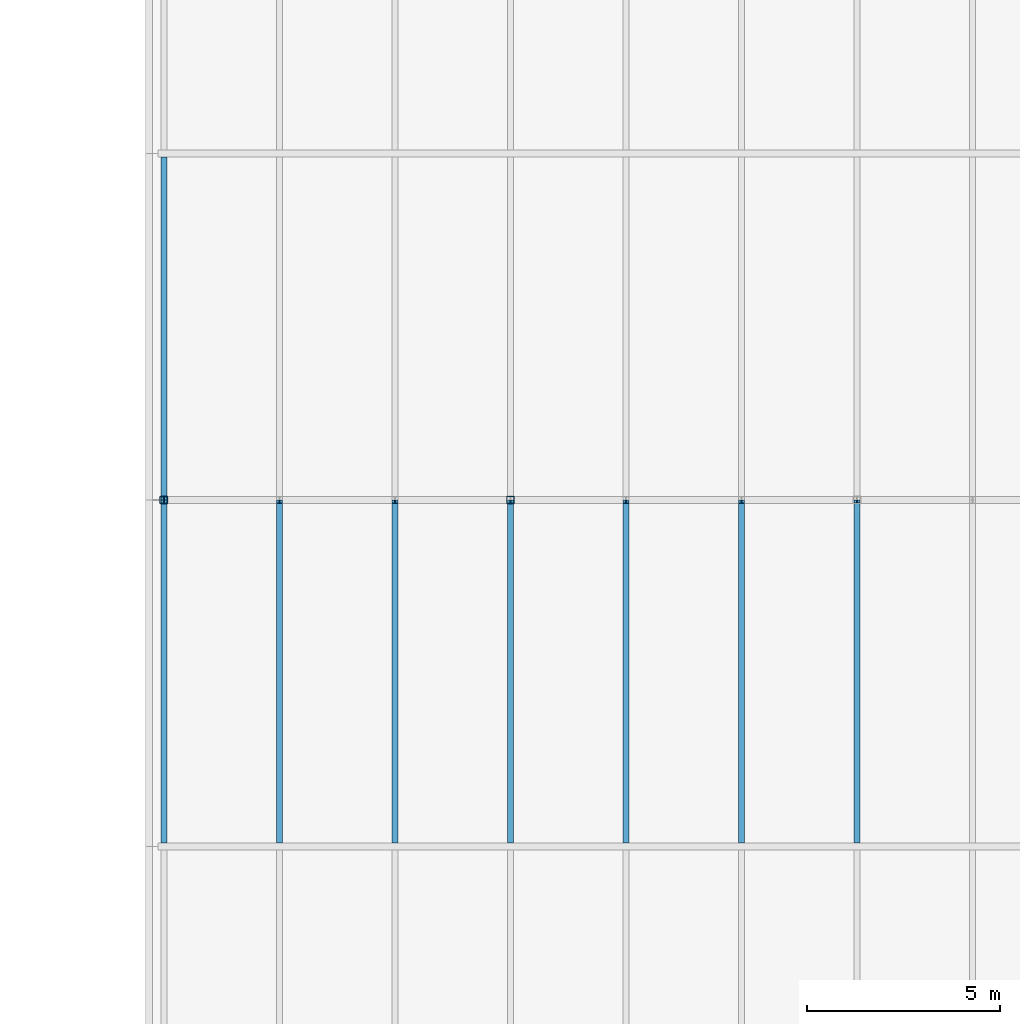
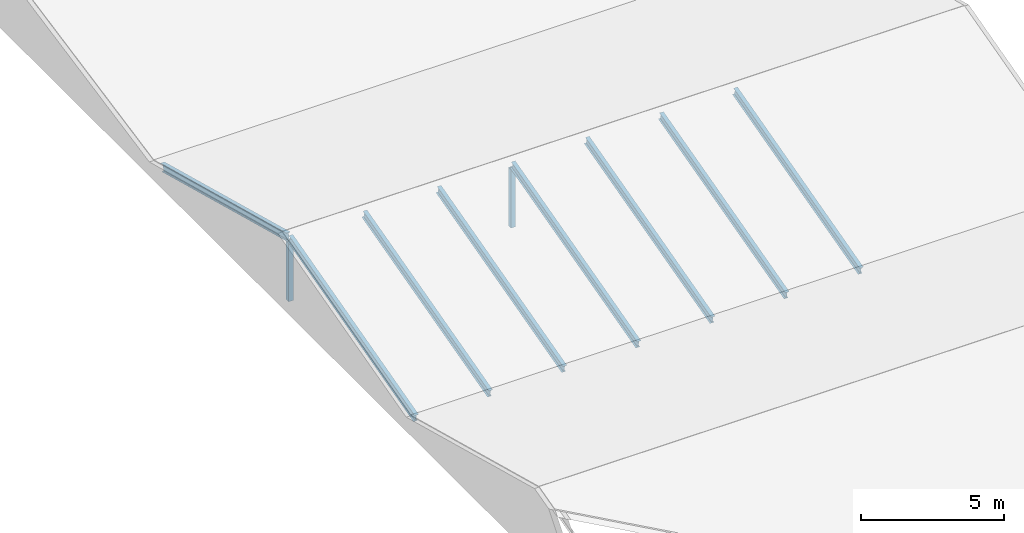
# One storey, part 9 of 29: 10 members.
"""IFC4 building model written with IfcOpenShell, lengths in metres."""

import ifcopenshell
import ifcopenshell.guid

model = None  # the IFC model being written
_history = None  # IfcOwnerHistory: only IFC2X3 demands one
_inside = {}  # id of a spatial element -> (the spatial element, [elements in it])
_under = {}  # id of a project, library or spatial element -> (it, [spatial elements below it])
_declared = {}  # id of a project -> (the project, [libraries it declares])
_typed = {}  # id of a type object -> (the type object, [elements of that type])
_made_of = {}  # id of a material, layer set ... -> (it, [elements and type objects made of it])


def new_model(schema):
    """Start an empty IFC model of exactly this schema.

    Asked for "IFC4X3", IfcOpenShell would pick the latest addendum, in which some entities
    have other attributes; the version numbers below select the first issue.
    IFC2X3 requires an IfcOwnerHistory on every rooted entity: one is made here for all.
    """
    global model, _history
    if schema == "IFC4X3":
        model = ifcopenshell.file(schema_version=(4, 3, 0, 0))
    else:
        model = ifcopenshell.file(schema=schema)
    _inside.clear()
    _under.clear()
    _declared.clear()
    _typed.clear()
    _made_of.clear()
    _history = None
    if model.schema == "IFC2X3":
        org = make("IfcOrganization", Name="unknown")
        user = make(
            "IfcPersonAndOrganization",
            ThePerson=make("IfcPerson", FamilyName="unknown"),
            TheOrganization=org,
        )
        app = make(
            "IfcApplication",
            ApplicationDeveloper=org,
            Version="unknown",
            ApplicationFullName="unknown",
            ApplicationIdentifier="unknown",
        )
        _history = make(
            "IfcOwnerHistory",
            OwningUser=user,
            OwningApplication=app,
            ChangeAction="ADDED",
            CreationDate=0,
        )
    return model


def make(cls, **values):
    """One entity of the class cls with the attributes given. An attribute that is None is left unset."""
    return model.create_entity(
        cls, **{name: value for name, value in values.items() if value is not None}
    )


def rooted(cls, **values):
    """An entity with a GlobalId (a new one), such as an element, a storey or a relation."""
    return make(cls, GlobalId=ifcopenshell.guid.new(), OwnerHistory=_history, **values)


def si_unit(unit_type, name, prefix=None):
    """IfcSIUnit, for example si_unit("LENGTHUNIT", "METRE", prefix="MILLI")."""
    return make("IfcSIUnit", UnitType=unit_type, Prefix=prefix, Name=name)


def assignment(units):
    """IfcUnitAssignment: the units of a project."""
    return None if units is None else make("IfcUnitAssignment", Units=units)


def point(xyz):
    """IfcCartesianPoint."""
    return None if xyz is None else make("IfcCartesianPoint", Coordinates=xyz)


def direction(xyz):
    """IfcDirection."""
    return None if xyz is None else make("IfcDirection", DirectionRatios=xyz)


def frame(location, z_axis=None, x_axis=None):
    """IfcAxis2Placement3D, a coordinate frame: its origin and axes. An axis left out is left unset."""
    return make(
        "IfcAxis2Placement3D",
        Location=point(location),
        Axis=direction(z_axis),
        RefDirection=direction(x_axis),
    )


def frame_2d(location, x_axis=None):
    """IfcAxis2Placement2D, a coordinate frame in the plane: its origin and x axis."""
    return make(
        "IfcAxis2Placement2D", Location=point(location), RefDirection=direction(x_axis)
    )


def origin():
    """The frame at (0, 0, 0) with its axes left unset."""
    return frame((0.0, 0.0, 0.0))


def origin_2d():
    """The frame at (0, 0) in the plane with its x axis left unset."""
    return frame_2d((0.0, 0.0))


def place(relative_to, where):
    """IfcLocalPlacement: puts the frame where relative to a parent placement (None: the world)."""
    return make(
        "IfcLocalPlacement", PlacementRelTo=relative_to, RelativePlacement=where
    )


def context(
    kind, dimensions, precision=None, world=None, true_north=None, identifier=None
):
    """IfcGeometricRepresentationContext, for example the 3D "Model" context."""
    return make(
        "IfcGeometricRepresentationContext",
        ContextIdentifier=identifier,
        ContextType=kind,
        CoordinateSpaceDimension=dimensions,
        Precision=precision,
        WorldCoordinateSystem=world,
        TrueNorth=true_north,
    )


def subcontext(parent, identifier, kind, view, scale=None):
    """IfcGeometricRepresentationSubContext, for example "Body" below "Model"."""
    return make(
        "IfcGeometricRepresentationSubContext",
        ContextIdentifier=identifier,
        ContextType=kind,
        ParentContext=parent,
        TargetScale=scale,
        TargetView=view,
    )


def project(units=None, contexts=None):
    """IfcProject with its units and contexts."""
    return rooted(
        "IfcProject",
        Name="project",
        RepresentationContexts=contexts,
        UnitsInContext=assignment(units),
    )


def spatial(cls, under=None, at=None, **own):
    """A site, building, storey or space (cls), placed at a placement, below another one or the project."""
    s = rooted(cls, ObjectPlacement=at, **own)
    if under is not None:
        _under.setdefault(under.id(), (under, []))[1].append(s)
    return s


def profile(cls, at=None, kind="AREA", **sizes):
    """A parametric profile (cls). Its sizes go by their IFC names, for example OverallWidth=200.0."""
    return make(cls, ProfileType=kind, Position=at, **sizes)


def hollow_rectangle(**sizes):
    """IfcRectangleHollowProfileDef."""
    return profile("IfcRectangleHollowProfileDef", **sizes)


def i_section(**sizes):
    """IfcIShapeProfileDef."""
    return profile("IfcIShapeProfileDef", **sizes)


def extrude(swept, where, along, depth):
    """IfcExtrudedAreaSolid: the profile swept, set in the frame where, extruded along a direction by depth."""
    return make(
        "IfcExtrudedAreaSolid",
        SweptArea=swept,
        Position=where,
        ExtrudedDirection=direction(along),
        Depth=depth,
    )


def shape(context_of_items, identifier, shape_type, items):
    """IfcShapeRepresentation: the items that make up one representation, for example the "Body"."""
    return make(
        "IfcShapeRepresentation",
        ContextOfItems=context_of_items,
        RepresentationIdentifier=identifier,
        RepresentationType=shape_type,
        Items=items,
    )


def material(Name=None, Category=None):
    """IfcMaterial."""
    return make("IfcMaterial", Name=Name, Category=Category)


def material_profile(
    of_material, cross_section, Name=None, Category=None, Priority=None
):
    """IfcMaterialProfile: a cross section and its material."""
    return make(
        "IfcMaterialProfile",
        Name=Name,
        Material=of_material,
        Profile=cross_section,
        Priority=Priority,
        Category=Category,
    )


def profile_set(profiles, Name=None, composite=None):
    """IfcMaterialProfileSet."""
    return make(
        "IfcMaterialProfileSet",
        Name=Name,
        MaterialProfiles=profiles,
        CompositeProfile=composite,
    )


def made_of(thing, what):
    """Note that an element or type object is made of a material, layer set ...; save() writes the relation."""
    if what is not None:
        _made_of.setdefault(what.id(), (what, []))[1].append(thing)
    return thing


def type_object(cls, material=None, **own):
    """A type object (cls), such as IfcWallType, which elements share."""
    return made_of(rooted(cls, **own), material)


def element(
    cls,
    number,
    at=None,
    inside=None,
    cuts=None,
    type_object=None,
    material=None,
    context=None,
    identifier="Body",
    shape_type=None,
    held_by="IfcProductDefinitionShape",
    body=None,
    shapes=None,
    **own,
):
    """One element of the class cls, such as IfcWall. Its Tag is "e" and its number.

    at: its placement. inside: the storey or other place that contains it. cuts: it is an
    opening in that element (IfcRelVoidsElement). A single representation is given by context,
    identifier, shape_type and body (its items); several are given by shapes. held_by: the class
    of the entity that holds the representations. save() writes the other relations.
    """
    e = rooted(cls, Tag="e%d" % number, ObjectPlacement=at, **own)
    if body is not None:
        shapes = [shape(context, identifier, shape_type, body)]
    if shapes is not None:
        e.Representation = make(held_by, Representations=shapes)
    if inside is not None:
        _inside.setdefault(inside.id(), (inside, []))[1].append(e)
    if cuts is not None:
        rooted(
            "IfcRelVoidsElement", RelatingBuildingElement=cuts, RelatedOpeningElement=e
        )
    if type_object is not None:
        _typed.setdefault(type_object.id(), (type_object, []))[1].append(e)
    return made_of(e, material)


def aggregate(whole, parts):
    """IfcRelAggregates: a whole, such as a stair, and the parts it consists of."""
    return rooted("IfcRelAggregates", RelatingObject=whole, RelatedObjects=parts)


def save(model, path):
    """Write the relations noted so far, then the file.

    IfcRelAggregates (storeys below a building ...), IfcRelContainedInSpatialStructure (elements
    in a storey), IfcRelDefinesByType, IfcRelAssociatesMaterial and IfcRelDeclares: one each for
    every whole, place, type object, material and project.
    """
    for whole, parts in _under.values():
        aggregate(whole, parts)
    for where, things in _inside.values():
        rooted(
            "IfcRelContainedInSpatialStructure",
            RelatedElements=things,
            RelatingStructure=where,
        )
    for kind, things in _typed.values():
        rooted("IfcRelDefinesByType", RelatedObjects=things, RelatingType=kind)
    for what, things in _made_of.values():
        rooted("IfcRelAssociatesMaterial", RelatedObjects=things, RelatingMaterial=what)
    for by, libraries in _declared.values():
        rooted("IfcRelDeclares", RelatingContext=by, RelatedDefinitions=libraries)
    model.write(path)


model = new_model("IFC4")

# Units and contexts
model_context = context("Model", 3, precision=1e-05, world=origin(), true_north=direction((0.0, 1.0)))
body_context = subcontext(model_context, "Body", "Model", "MODEL_VIEW")
ifc_project = project(units=[si_unit("LENGTHUNIT", "METRE"), si_unit("AREAUNIT", "SQUARE_METRE"), si_unit("VOLUMEUNIT", "CUBIC_METRE"), si_unit("PLANEANGLEUNIT", "RADIAN"), si_unit("MASSUNIT", "GRAM", prefix="KILO")], contexts=[model_context])

# Site, building, storey
site_placement = place(None, origin())
site = spatial("IfcSite", under=ifc_project, at=site_placement, CompositionType="ELEMENT")
building_placement = place(site_placement, origin())
building = spatial("IfcBuilding", under=site, at=building_placement, Name="Azimuth Sports and Learning Centre", CompositionType="ELEMENT")
storey_placement = place(building_placement, frame((0.0, 0.0, 27.0)))
storey = spatial("IfcBuildingStorey", under=building, at=storey_placement, Name="L05", CompositionType="ELEMENT", Elevation=27.0)

# Members
ifc_material_1 = material(Name="Steel S355", Category="steel")
ifc_material_profile_1 = material_profile(ifc_material_1, i_section(OverallWidth=0.159912109375, OverallDepth=0.330078125, WebThickness=0.007568359375, FlangeThickness=0.011474609375, FilletRadius=0.01806640625, at=origin_2d()), Name="IPE 330")
ifc_profile_set_1 = profile_set([ifc_material_profile_1], Name="Steel S355")
member_type_1 = type_object("IfcMemberType", Name="Rafter IPE 330", PredefinedType="RAFTER", material=ifc_profile_set_1)
for number, where, z_axis, x_axis, name in (
    (1, (72.0, 45.137451171875, 0.310546875), (0.0, 0.966234051779, 0.257665979872), (-1.0, 0.0, 0.0), "Rafter FOLD06 51"),
    (2, (75.0, 45.137451171875, 0.310546875), (0.0, 0.966234051779, 0.257665979872), (-1.0, 0.0, 0.0), "Rafter FOLD06 52"),
    (3, (78.0, 45.137451171875, 0.310546875), (0.0, 0.966234051779, 0.257665979872), (-1.0, 0.0, 0.0), "Rafter FOLD06 53"),
    (4, (81.0, 45.137451171875, 0.310546875), (0.0, 0.966234051779, 0.257665979872), (-1.0, 0.0, 0.0), "Rafter FOLD06 54"),
    (5, (84.0, 45.137451171875, 0.310546875), (0.0, 0.966234051779, 0.257665979872), (-1.0, 0.0, 0.0), "Rafter FOLD06 55"),
    (6, (87.0, 45.137451171875, 0.310546875), (0.0, 0.966234051779, 0.257665979872), (-1.0, 0.0, 0.0), "Rafter FOLD06 56"),
    (7, (90.0, 45.137451171875, 0.310546875), (0.0, 0.966234051779, 0.257665979872), (-1.0, 0.0, 0.0), "Rafter FOLD06 57"),
    (8, (72.0, 54.04248046875, 2.66259765625), (0.0, 0.966234051779, -0.257665979872), (-1.0, 0.0, 0.0), "Rafter FOLD07 61"),
):
    element("IfcMember", number, at=place(storey_placement, frame(where, z_axis=z_axis, x_axis=x_axis)), inside=storey, type_object=member_type_1, Name=name, PredefinedType="RAFTER", context=body_context, shape_type="SweptSolid", body=[
        extrude(i_section(OverallWidth=0.159912109375, OverallDepth=0.330078125, WebThickness=0.007568359375, FlangeThickness=0.011474609375, FilletRadius=0.01806640625, at=origin_2d()), origin(), (0.0, 0.0, 1.0), 9.128173828125),
    ])
ifc_material_2 = material(Name="Steel S355", Category="steel")
ifc_material_profile_2 = material_profile(ifc_material_2, hollow_rectangle(XDim=0.199951171875, YDim=0.199951171875, WallThickness=0.010009765625, InnerFilletRadius=0.010009765625, OuterFilletRadius=0.014892578125, at=origin_2d()), Name="SHS 200x200x10.0")
ifc_profile_set_2 = profile_set([ifc_material_profile_2], Name="Steel S355")
member_type_2 = type_object("IfcMemberType", Name="Truss post SHS 200x200x10.0", PredefinedType="POST", material=ifc_profile_set_2)
for number, where, z_axis, x_axis, name in (
    (9, (72.0, 54.0, 0.0), (0.0, 0.0, 1.0), (1.0, 0.0, 0.0), "Ridge post 9G"),
    (10, (81.0, 54.0, 0.0), (0.0, 0.0, 1.0), (1.0, 0.0, 0.0), "Ridge post 10G"),
):
    element("IfcMember", number, at=place(storey_placement, frame(where, z_axis=z_axis, x_axis=x_axis)), inside=storey, type_object=member_type_2, Name=name, PredefinedType="POST", context=body_context, shape_type="SweptSolid", body=[
        extrude(hollow_rectangle(XDim=0.199951171875, YDim=0.199951171875, WallThickness=0.010009765625, InnerFilletRadius=0.010009765625, OuterFilletRadius=0.014892578125, at=origin_2d()), origin(), (0.0, 0.0, 1.0), 2.48486328125),
    ])

save(model, "model.ifc")
